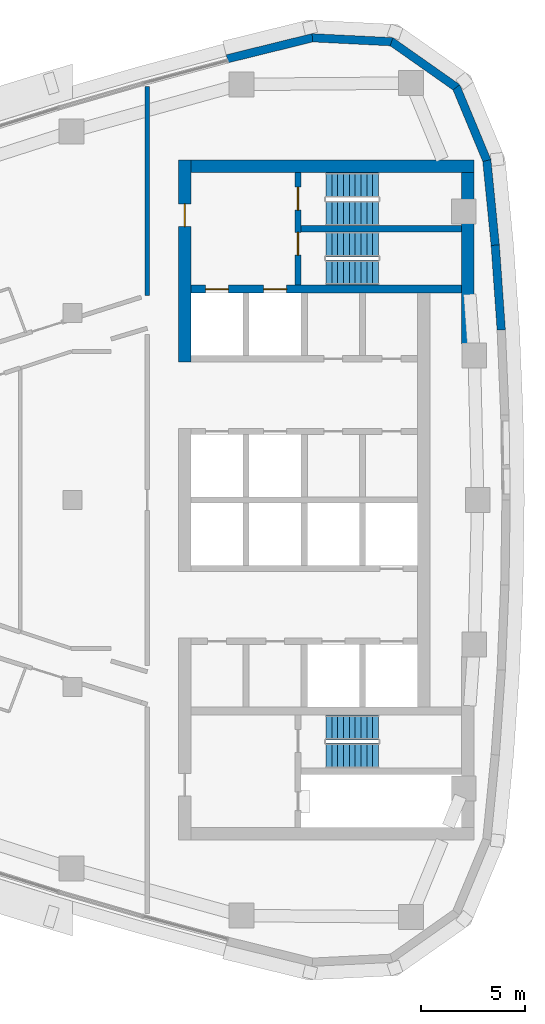
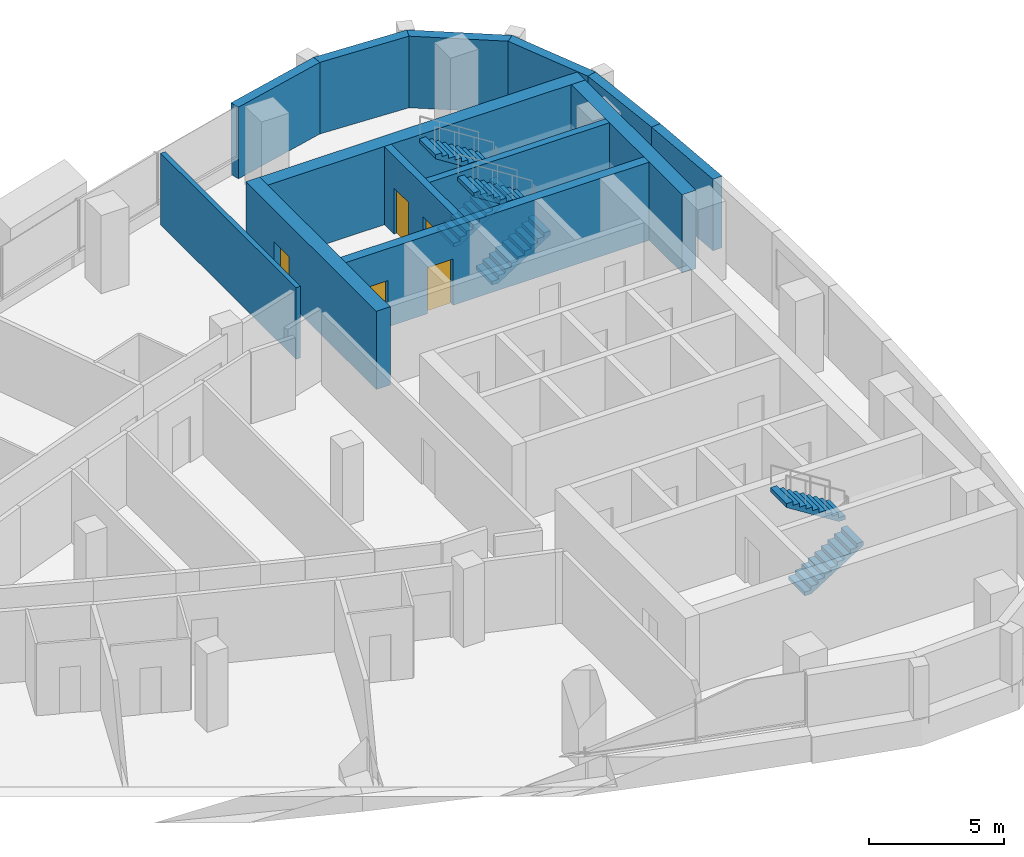
# One storey, part 11 of 15: 13 walls, 6 stair flights, 5 doors, 5 openings, 3 elements without a shape of their own.
"""IFC4 building model written with IfcOpenShell, lengths in metres."""

from ifc_helpers import new_model, si_unit, direction, frame, frame_2d, origin, place, context, subcontext, project, spatial, polyline, rectangle, outline, extrude, material, layer, layer_set, type_object, element, fill, aggregate, save


model = new_model("IFC4")

# Units and contexts
model_context = context("Model", 3, precision=1e-05, world=origin(), true_north=direction((0.0, 1.0)))
body_context = subcontext(model_context, "Body", "Model", "MODEL_VIEW")
ifc_project = project(units=[si_unit("LENGTHUNIT", "METRE"), si_unit("AREAUNIT", "SQUARE_METRE"), si_unit("VOLUMEUNIT", "CUBIC_METRE"), si_unit("PLANEANGLEUNIT", "RADIAN"), si_unit("MASSUNIT", "GRAM", prefix="KILO")], contexts=[model_context])

# Site, building, storey
site_placement = place(None, origin())
site = spatial("IfcSite", under=ifc_project, at=site_placement, CompositionType="ELEMENT")
building_placement = place(site_placement, origin())
building = spatial("IfcBuilding", under=site, at=building_placement, Name="Ostrand Prow Hotel Tower", CompositionType="ELEMENT")
storey_placement = place(building_placement, frame((0.0, 0.0, 238.550048828125)))
storey = spatial("IfcBuildingStorey", under=building, at=storey_placement, Name="L60", CompositionType="ELEMENT", Elevation=238.550048828125)

# Wall, openings, doors
ifc_material_1 = material(Name="Concrete C50/60", Category="concrete")
ifc_layer_1 = layer(ifc_material_1, 0.300048828125)
ifc_layer_set_1 = layer_set([ifc_layer_1], Name="Concrete C50/60")
wall_type_1 = type_object("IfcWallType", Name="Core wall 300 C50/60", PredefinedType="SHEAR", material=ifc_layer_set_1)
wall_1_placement = place(storey_placement, frame((55.85009765625, 10.35009765625, 0.0), z_axis=(0.0, 0.0, 1.0), x_axis=(0.0, 1.0, 0.0)))
wall_1 = element("IfcWall", 1, at=wall_1_placement, inside=storey, type_object=wall_type_1, Name="Core wall PW-VN", PredefinedType="SHEAR", context=body_context, shape_type="SweptSolid", body=[
    extrude(rectangle(XDim=5.39990234375, YDim=0.300048828125, at=frame_2d((2.699951171875, 0.0))), origin(), (0.0, 0.0, 1.0), 3.550048828125),
])
opening_1_placement = place(wall_1_placement, frame((1.429931640625, 0.0, 0.0)))
opening_1 = element("IfcOpeningElement", 2, at=opening_1_placement, cuts=wall_1, Name="Opening FD1", PredefinedType="OPENING", context=body_context, shape_type="SweptSolid", body=[
    extrude(rectangle(XDim=1.10009765625, YDim=2.10009765625, at=frame_2d((0.550048828125, 1.050048828125))), frame((0.0, 0.159912109375, 0.0), z_axis=(0.0, -1.0, 0.0), x_axis=(1.0, 0.0, 0.0)), (0.0, 0.0, 1.0), 0.320068359375),
])
opening_2_placement = place(wall_1_placement, frame((3.60009765625, 0.0, 0.0)))
opening_2 = element("IfcOpeningElement", 3, at=opening_2_placement, cuts=wall_1, Name="Opening FD1", PredefinedType="OPENING", context=body_context, shape_type="SweptSolid", body=[
    extrude(rectangle(XDim=1.10009765625, YDim=2.10009765625, at=frame_2d((0.550048828125, 1.050048828125))), frame((0.0, 0.159912109375, 0.0), z_axis=(0.0, -1.0, 0.0), x_axis=(1.0, 0.0, 0.0)), (0.0, 0.0, 1.0), 0.320068359375),
])
ifc_material_2 = material(Name="Steel fire door", Category="steel")
door_type_1 = type_object("IfcDoorType", Name="Fire door 1100 EI120", OperationType="SINGLE_SWING_RIGHT", PredefinedType="DOOR", material=ifc_material_2)
door_1_placement = place(opening_1_placement, origin())
door_1 = element("IfcDoor", 4, at=door_1_placement, inside=storey, type_object=door_type_1, Name="FIRE DOOR", OperationType="SINGLE_SWING_RIGHT", OverallHeight=2.10009765625, OverallWidth=1.10009765625, PredefinedType="DOOR", context=body_context, shape_type="SweptSolid", body=[
    extrude(rectangle(XDim=1.10009765625, YDim=2.10009765625, at=frame_2d((0.550048828125, 1.050048828125))), frame((0.0, 0.02490234375, 0.0), z_axis=(0.0, -1.0, 0.0), x_axis=(1.0, 0.0, 0.0)), (0.0, 0.0, 1.0), 0.050048828125),
])
fill(opening_1, door_1)
door_2_placement = place(opening_2_placement, origin())
door_2 = element("IfcDoor", 5, at=door_2_placement, inside=storey, type_object=door_type_1, Name="FIRE DOOR", OperationType="SINGLE_SWING_RIGHT", OverallHeight=2.10009765625, OverallWidth=1.10009765625, PredefinedType="DOOR", context=body_context, shape_type="SweptSolid", body=[
    extrude(rectangle(XDim=1.10009765625, YDim=2.10009765625, at=frame_2d((0.550048828125, 1.050048828125))), frame((0.0, 0.02490234375, 0.0), z_axis=(0.0, -1.0, 0.0), x_axis=(1.0, 0.0, 0.0)), (0.0, 0.0, 1.0), 0.050048828125),
])
fill(opening_2, door_2)

# Wall
wall_2_placement = place(storey_placement, frame((56.0, 13.050048828125, 0.0), z_axis=(0.0, 0.0, 1.0), x_axis=(1.0, 0.0, 0.0)))
element("IfcWall", 6, at=wall_2_placement, inside=storey, type_object=wall_type_1, Name="Core wall PW-ST13", PredefinedType="SHEAR", context=body_context, shape_type="SweptSolid", body=[
    extrude(rectangle(XDim=7.719970703125, YDim=0.300048828125, at=frame_2d((3.85986328125, 0.0))), origin(), (0.0, 0.0, 1.0), 3.550048828125),
])

# Wall, openings, doors
ifc_material_3 = material(Name="Concrete C50/60", Category="concrete")
ifc_layer_2 = layer(ifc_material_3, 0.39990234375)
ifc_layer_set_2 = layer_set([ifc_layer_2], Name="Concrete C50/60")
wall_type_2 = type_object("IfcWallType", Name="Core wall 400 C50/60", PredefinedType="SHEAR", material=ifc_layer_set_2)
wall_3_placement = place(storey_placement, frame((50.699951171875, 10.14990234375, 0.0), z_axis=(0.0, 0.0, 1.0), x_axis=(1.0, 0.0, 0.0)))
wall_3 = element("IfcWall", 7, at=wall_3_placement, inside=storey, type_object=wall_type_2, Name="Core wall PW-BN", PredefinedType="SHEAR", context=body_context, shape_type="SweptSolid", body=[
    extrude(rectangle(XDim=13.02001953125, YDim=0.39990234375, at=frame_2d((6.510009765625, 0.0))), origin(), (0.0, 0.0, 1.0), 3.550048828125),
])
opening_3_placement = place(wall_3_placement, frame((0.699951171875, 0.0, 0.0)))
opening_3 = element("IfcOpeningElement", 8, at=opening_3_placement, cuts=wall_3, Name="Opening LD", PredefinedType="OPENING", context=body_context, shape_type="SweptSolid", body=[
    extrude(rectangle(XDim=1.10009765625, YDim=2.10009765625, at=frame_2d((0.550048828125, 1.050048828125))), frame((0.0, 0.2099609375, 0.0), z_axis=(0.0, -1.0, 0.0), x_axis=(1.0, 0.0, 0.0)), (0.0, 0.0, 1.0), 0.419921875),
])
opening_4_placement = place(wall_3_placement, frame((3.5, 0.0, 0.0)))
opening_4 = element("IfcOpeningElement", 9, at=opening_4_placement, cuts=wall_3, Name="Opening LD", PredefinedType="OPENING", context=body_context, shape_type="SweptSolid", body=[
    extrude(rectangle(XDim=1.10009765625, YDim=2.10009765625, at=frame_2d((0.550048828125, 1.050048828125))), frame((0.0, 0.2099609375, 0.0), z_axis=(0.0, -1.0, 0.0), x_axis=(1.0, 0.0, 0.0)), (0.0, 0.0, 1.0), 0.419921875),
])
ifc_material_4 = material(Name="Stainless steel door", Category="steel")
door_type_2 = type_object("IfcDoorType", Name="Lift landing door 1100", OperationType="DOUBLE_DOOR_SLIDING", PredefinedType="DOOR", material=ifc_material_4)
door_3_placement = place(opening_3_placement, origin())
door_3 = element("IfcDoor", 10, at=door_3_placement, inside=storey, type_object=door_type_2, Name="LIFT LANDING DOOR", OperationType="DOUBLE_DOOR_SLIDING", OverallHeight=2.10009765625, OverallWidth=1.10009765625, PredefinedType="DOOR", context=body_context, shape_type="SweptSolid", body=[
    extrude(rectangle(XDim=1.10009765625, YDim=2.10009765625, at=frame_2d((0.550048828125, 1.050048828125))), frame((0.0, 0.02490234375, 0.0), z_axis=(0.0, -1.0, 0.0), x_axis=(1.0, 0.0, 0.0)), (0.0, 0.0, 1.0), 0.050048828125),
])
fill(opening_3, door_3)
door_4_placement = place(opening_4_placement, origin())
door_4 = element("IfcDoor", 11, at=door_4_placement, inside=storey, type_object=door_type_2, Name="LIFT LANDING DOOR", OperationType="DOUBLE_DOOR_SLIDING", OverallHeight=2.10009765625, OverallWidth=1.10009765625, PredefinedType="DOOR", context=body_context, shape_type="SweptSolid", body=[
    extrude(rectangle(XDim=1.10009765625, YDim=2.10009765625, at=frame_2d((0.550048828125, 1.050048828125))), frame((0.0, 0.02490234375, 0.0), z_axis=(0.0, -1.0, 0.0), x_axis=(1.0, 0.0, 0.0)), (0.0, 0.0, 1.0), 0.050048828125),
])
fill(opening_4, door_4)

# Wall, opening, door
ifc_material_5 = material(Name="Concrete C50/60", Category="concrete")
ifc_layer_3 = layer(ifc_material_5, 0.60009765625)
ifc_layer_set_3 = layer_set([ifc_layer_3], Name="Concrete C50/60")
wall_type_3 = type_object("IfcWallType", Name="Core wall 600 C50/60", PredefinedType="SHEAR", material=ifc_layer_set_3)
wall_4_placement = place(storey_placement, frame((50.39990234375, 6.64990234375, 0.0), z_axis=(0.0, 0.0, 1.0), x_axis=(0.0, 1.0, 0.0)))
wall_4 = element("IfcWall", 12, at=wall_4_placement, inside=storey, type_object=wall_type_3, Name="Core wall CW-W-N", PredefinedType="SHEAR", context=body_context, shape_type="SweptSolid", body=[
    extrude(rectangle(XDim=9.7001953125, YDim=0.60009765625, at=frame_2d((4.85009765625, 0.0))), origin(), (0.0, 0.0, 1.0), 3.550048828125),
])
opening_5_placement = place(wall_4_placement, frame((6.5, 0.0, 0.0)))
opening_5 = element("IfcOpeningElement", 13, at=opening_5_placement, cuts=wall_4, Name="Opening FD1", PredefinedType="OPENING", context=body_context, shape_type="SweptSolid", body=[
    extrude(rectangle(XDim=1.10009765625, YDim=2.10009765625, at=frame_2d((0.550048828125, 1.050048828125))), frame((0.0, 0.31005859375, 0.0), z_axis=(0.0, -1.0, 0.0), x_axis=(1.0, 0.0, 0.0)), (0.0, 0.0, 1.0), 0.6201171875),
])
door_5_placement = place(opening_5_placement, origin())
door_5 = element("IfcDoor", 14, at=door_5_placement, inside=storey, type_object=door_type_1, Name="FIRE DOOR", OperationType="SINGLE_SWING_RIGHT", OverallHeight=2.10009765625, OverallWidth=1.10009765625, PredefinedType="DOOR", context=body_context, shape_type="SweptSolid", body=[
    extrude(rectangle(XDim=1.10009765625, YDim=2.10009765625, at=frame_2d((0.550048828125, 1.050048828125))), frame((0.0, 0.02490234375, 0.0), z_axis=(0.0, -1.0, 0.0), x_axis=(1.0, 0.0, 0.0)), (0.0, 0.0, 1.0), 0.050048828125),
])
fill(opening_5, door_5)

# Walls
wall_5_placement = place(storey_placement, frame((50.699951171875, 16.050048828125, 0.0), z_axis=(0.0, 0.0, 1.0), x_axis=(1.0, 0.0, 0.0)))
element("IfcWall", 15, at=wall_5_placement, inside=storey, type_object=wall_type_3, Name="Core wall CW-N", PredefinedType="SHEAR", context=body_context, shape_type="SweptSolid", body=[
    extrude(rectangle(XDim=13.6201171875, YDim=0.60009765625, at=frame_2d((6.81005859375, 0.0))), origin(), (0.0, 0.0, 1.0), 3.550048828125),
])
wall_6_placement = place(storey_placement, frame((64.02001953125, 7.502197265625, 0.0), z_axis=(0.0, 0.0, 1.0), x_axis=(0.0, 1.0, 0.0)))
element("IfcWall", 16, at=wall_6_placement, inside=storey, type_object=wall_type_3, Name="Core wall CW-E-N", PredefinedType="SHEAR", context=body_context, shape_type="SweptSolid", body=[
    extrude(rectangle(XDim=8.247802734375, YDim=0.60009765625, at=frame_2d((4.1240234375, 0.0))), origin(), (0.0, 0.0, 1.0), 3.550048828125),
])
ifc_material_6 = material(Name="Plasterboard partition")
ifc_layer_4 = layer(ifc_material_6, 0.199951171875)
ifc_layer_set_4 = layer_set([ifc_layer_4], Name="Plasterboard partition")
wall_type_4 = type_object("IfcWallType", Name="Partition 200 corridor wall", PredefinedType="PARTITIONING", material=ifc_layer_set_4)
wall_7_placement = place(storey_placement, frame((48.594970703125, 19.904296875, 0.0), z_axis=(0.0, 0.0, 1.0), x_axis=(0.0, -1.0, 0.0)))
element("IfcWall", 17, at=wall_7_placement, inside=storey, type_object=wall_type_4, Name="CORRIDOR WALL", PredefinedType="PARTITIONING", context=body_context, shape_type="SweptSolid", body=[
    extrude(rectangle(XDim=10.0673828125, YDim=0.199951171875, at=frame_2d((5.03369140625, 0.0))), origin(), (0.0, 0.0, 1.0), 3.25),
])
ifc_material_7 = material(Name="Precast concrete C40/50", Category="concrete")
ifc_layer_5 = layer(ifc_material_7, 0.39990234375)
ifc_layer_set_5 = layer_set([ifc_layer_5], Name="Precast concrete C40/50")
wall_type_5 = type_object("IfcWallType", Name="Stone-faced precast wall 400 mm", PredefinedType="NOTDEFINED", material=ifc_layer_set_5)
wall_8_placement = place(storey_placement, frame((65.630615234375, 8.181640625, 0.0), z_axis=(0.0, 0.0, 1.0), x_axis=(-0.070623905352, 0.997503014528, 0.0)))
element("IfcWall", 18, at=wall_8_placement, inside=storey, type_object=wall_type_5, Name="Stone-faced wall back 11", PredefinedType="NOTDEFINED", context=body_context, shape_type="SweptSolid", body=[
    extrude(outline(polyline([(-0.002685546875, -0.199951171875), (4.095703125, -0.199951171875), (4.09033203125, 0.199951171875), (0.002685546875, 0.199951171875), (-0.002685546875, -0.199951171875)])), origin(), (0.0, 0.0, 1.0), 3.25),
])
wall_9_placement = place(storey_placement, frame((65.341552734375, 12.264404296875, 0.0), z_axis=(0.0, 0.0, 1.0), x_axis=(-0.098718218066, 0.995115427185, 0.0)))
element("IfcWall", 19, at=wall_9_placement, inside=storey, type_object=wall_type_5, Name="Stone-faced wall back 12", PredefinedType="NOTDEFINED", context=body_context, shape_type="SweptSolid", body=[
    extrude(outline(polyline([(-0.002685546875, -0.199951171875), (4.122802734375, -0.199951171875), (4.063232421875, 0.199951171875), (0.002685546875, 0.199951171875), (-0.002685546875, -0.199951171875)])), origin(), (0.0, 0.0, 1.0), 3.25),
])
wall_10_placement = place(storey_placement, frame((64.9375, 16.33740234375, 0.0), z_axis=(0.0, 0.0, 1.0), x_axis=(-0.3844335483, 0.923152667191, 0.0)))
element("IfcWall", 20, at=wall_10_placement, inside=storey, type_object=wall_type_5, Name="Stone-faced wall back 13", PredefinedType="NOTDEFINED", context=body_context, shape_type="SweptSolid", body=[
    extrude(outline(polyline([(-0.02978515625, -0.199951171875), (3.871337890625, -0.199951171875), (3.755615234375, 0.199951171875), (0.02978515625, 0.199951171875), (-0.02978515625, -0.199951171875)])), origin(), (0.0, 0.0, 1.0), 3.25),
])
wall_11_placement = place(storey_placement, frame((63.471435546875, 19.85791015625, 0.0), z_axis=(0.0, 0.0, 1.0), x_axis=(-0.817942545532, 0.575299915009, 0.0)))
element("IfcWall", 21, at=wall_11_placement, inside=storey, type_object=wall_type_5, Name="Stone-faced wall back 14", PredefinedType="NOTDEFINED", context=body_context, shape_type="SweptSolid", body=[
    extrude(outline(polyline([(-0.057861328125, -0.199951171875), (3.871337890625, -0.199951171875), (3.755615234375, 0.199951171875), (0.057861328125, 0.199951171875), (-0.057861328125, -0.199951171875)])), origin(), (0.0, 0.0, 1.0), 3.25),
])
wall_12_placement = place(storey_placement, frame((60.352294921875, 22.0517578125, 0.0), z_axis=(0.0, 0.0, 1.0), x_axis=(-0.998758875872, 0.049806705046, 0.0)))
element("IfcWall", 22, at=wall_12_placement, inside=storey, type_object=wall_type_5, Name="Stone-faced wall back 15", PredefinedType="NOTDEFINED", context=body_context, shape_type="SweptSolid", body=[
    extrude(outline(polyline([(-0.057861328125, -0.199951171875), (3.8427734375, -0.199951171875), (3.7841796875, 0.199951171875), (0.057861328125, 0.199951171875), (-0.057861328125, -0.199951171875)])), origin(), (0.0, 0.0, 1.0), 3.25),
])
wall_13_placement = place(storey_placement, frame((56.54345703125, 22.24169921875, 0.0), z_axis=(0.0, 0.0, 1.0), x_axis=(-0.970902342456, -0.23947576373, 0.0)))
element("IfcWall", 23, at=wall_13_placement, inside=storey, type_object=wall_type_5, Name="Stone-faced wall back 16", PredefinedType="NOTDEFINED", context=body_context, shape_type="SweptSolid", body=[
    extrude(outline(polyline([(-0.029296875, -0.199951171875), (4.225830078125, -0.199951171875), (4.225830078125, 0.199951171875), (0.029296875, 0.199951171875), (-0.029296875, -0.199951171875)])), origin(), (0.0, 0.0, 1.0), 3.25),
])

# Stair, stair flights
ifc_material_8 = material(Name="Concrete C40/50", Category="concrete")
stair_type = type_object("IfcStairType", Name="Exit stair 1200 upper zone", PredefinedType="HALF_TURN_STAIR", material=ifc_material_8)
stair_1_placement = place(storey_placement, origin())
stair_1 = element("IfcStair", 24, at=stair_1_placement, inside=storey, type_object=stair_type, Name="L60 ST1C", PredefinedType="HALF_TURN_STAIR")
ifc_material_9 = material(Name="Concrete C40/50", Category="concrete")
stair_flight_type = type_object("IfcStairFlightType", Name="Stair flight 1200 concrete", PredefinedType="STRAIGHT", material=ifc_material_9)
stair_flight_1_placement = place(storey_placement, frame((57.199951171875, 10.949951171875, 0.0), z_axis=(0.0, 0.0, 1.0), x_axis=(1.0, 0.0, 0.0)))
stair_flight_1 = element("IfcStairFlight", 25, at=stair_flight_1_placement, type_object=stair_flight_type, Name="ST1C flight 1", NumberOfRisers=10, NumberOfTreads=9, PredefinedType="STRAIGHT", RiserHeight=0.1775, TreadLength=0.28, context=body_context, shape_type="SweptSolid", body=[
    extrude(outline(polyline([(0.0, 0.0), (0.0, 0.177490234375), (0.280029296875, 0.177490234375), (0.280029296875, 0.35498046875), (0.56005859375, 0.35498046875), (0.56005859375, 0.532470703125), (0.840087890625, 0.532470703125), (0.840087890625, 0.7099609375), (1.1201171875, 0.7099609375), (1.1201171875, 0.887451171875), (1.39990234375, 0.887451171875), (1.39990234375, 1.06494140625), (1.679931640625, 1.06494140625), (1.679931640625, 1.242431640625), (1.9599609375, 1.242431640625), (1.9599609375, 1.419921875), (2.239990234375, 1.419921875), (2.239990234375, 1.597412109375), (2.52001953125, 1.597412109375), (2.52001953125, 1.77490234375), (2.52001953125, 1.419921875), (0.280029296875, 0.0), (0.0, 0.0)])), frame((0.0, 0.60009765625, 0.0), z_axis=(0.0, -1.0, 0.0), x_axis=(1.0, 0.0, 0.0)), (0.0, 0.0, 1.0), 1.199951171875),
])
stair_flight_2_placement = place(storey_placement, frame((59.719970703125, 12.300048828125, 1.77490234375), z_axis=(0.0, 0.0, 1.0), x_axis=(-1.0, 0.0, 0.0)))
stair_flight_2 = element("IfcStairFlight", 26, at=stair_flight_2_placement, type_object=stair_flight_type, Name="ST1C flight 2", NumberOfRisers=10, NumberOfTreads=9, PredefinedType="STRAIGHT", RiserHeight=0.1775, TreadLength=0.28, context=body_context, shape_type="SweptSolid", body=[
    extrude(outline(polyline([(0.0, 0.0), (0.0, 0.177490234375), (0.280029296875, 0.177490234375), (0.280029296875, 0.35498046875), (0.56005859375, 0.35498046875), (0.56005859375, 0.532470703125), (0.840087890625, 0.532470703125), (0.840087890625, 0.7099609375), (1.1201171875, 0.7099609375), (1.1201171875, 0.887451171875), (1.39990234375, 0.887451171875), (1.39990234375, 1.06494140625), (1.679931640625, 1.06494140625), (1.679931640625, 1.242431640625), (1.9599609375, 1.242431640625), (1.9599609375, 1.419921875), (2.239990234375, 1.419921875), (2.239990234375, 1.597412109375), (2.52001953125, 1.597412109375), (2.52001953125, 1.77490234375), (2.52001953125, 1.419921875), (0.280029296875, 0.0), (0.0, 0.0)])), frame((0.0, 0.60009765625, 0.0), z_axis=(0.0, -1.0, 0.0), x_axis=(1.0, 0.0, 0.0)), (0.0, 0.0, 1.0), 1.199951171875),
])
aggregate(stair_1, [stair_flight_1, stair_flight_2])

stair_2_placement = place(storey_placement, origin())
stair_2 = element("IfcStair", 27, at=stair_2_placement, inside=storey, type_object=stair_type, Name="L60 ST3C", PredefinedType="HALF_TURN_STAIR")
stair_flight_3_placement = place(storey_placement, frame((57.199951171875, 13.800048828125, 0.0), z_axis=(0.0, 0.0, 1.0), x_axis=(1.0, 0.0, 0.0)))
stair_flight_3 = element("IfcStairFlight", 28, at=stair_flight_3_placement, type_object=stair_flight_type, Name="ST3C flight 1", NumberOfRisers=10, NumberOfTreads=9, PredefinedType="STRAIGHT", RiserHeight=0.1775, TreadLength=0.28, context=body_context, shape_type="SweptSolid", body=[
    extrude(outline(polyline([(0.0, 0.0), (0.0, 0.177490234375), (0.280029296875, 0.177490234375), (0.280029296875, 0.35498046875), (0.56005859375, 0.35498046875), (0.56005859375, 0.532470703125), (0.840087890625, 0.532470703125), (0.840087890625, 0.7099609375), (1.1201171875, 0.7099609375), (1.1201171875, 0.887451171875), (1.39990234375, 0.887451171875), (1.39990234375, 1.06494140625), (1.679931640625, 1.06494140625), (1.679931640625, 1.242431640625), (1.9599609375, 1.242431640625), (1.9599609375, 1.419921875), (2.239990234375, 1.419921875), (2.239990234375, 1.597412109375), (2.52001953125, 1.597412109375), (2.52001953125, 1.77490234375), (2.52001953125, 1.419921875), (0.280029296875, 0.0), (0.0, 0.0)])), frame((0.0, 0.60009765625, 0.0), z_axis=(0.0, -1.0, 0.0), x_axis=(1.0, 0.0, 0.0)), (0.0, 0.0, 1.0), 1.199951171875),
])
stair_flight_4_placement = place(storey_placement, frame((59.719970703125, 15.14990234375, 1.77490234375), z_axis=(0.0, 0.0, 1.0), x_axis=(-1.0, 0.0, 0.0)))
stair_flight_4 = element("IfcStairFlight", 29, at=stair_flight_4_placement, type_object=stair_flight_type, Name="ST3C flight 2", NumberOfRisers=10, NumberOfTreads=9, PredefinedType="STRAIGHT", RiserHeight=0.1775, TreadLength=0.28, context=body_context, shape_type="SweptSolid", body=[
    extrude(outline(polyline([(0.0, 0.0), (0.0, 0.177490234375), (0.280029296875, 0.177490234375), (0.280029296875, 0.35498046875), (0.56005859375, 0.35498046875), (0.56005859375, 0.532470703125), (0.840087890625, 0.532470703125), (0.840087890625, 0.7099609375), (1.1201171875, 0.7099609375), (1.1201171875, 0.887451171875), (1.39990234375, 0.887451171875), (1.39990234375, 1.06494140625), (1.679931640625, 1.06494140625), (1.679931640625, 1.242431640625), (1.9599609375, 1.242431640625), (1.9599609375, 1.419921875), (2.239990234375, 1.419921875), (2.239990234375, 1.597412109375), (2.52001953125, 1.597412109375), (2.52001953125, 1.77490234375), (2.52001953125, 1.419921875), (0.280029296875, 0.0), (0.0, 0.0)])), frame((0.0, 0.60009765625, 0.0), z_axis=(0.0, -1.0, 0.0), x_axis=(1.0, 0.0, 0.0)), (0.0, 0.0, 1.0), 1.199951171875),
])
aggregate(stair_2, [stair_flight_3, stair_flight_4])

stair_3_placement = place(storey_placement, origin())
stair_3 = element("IfcStair", 30, at=stair_3_placement, inside=storey, type_object=stair_type, Name="L60 ST2C", PredefinedType="HALF_TURN_STAIR")
stair_flight_5_placement = place(storey_placement, frame((57.199951171875, -12.300048828125, 0.0), z_axis=(0.0, 0.0, 1.0), x_axis=(1.0, 0.0, 0.0)))
stair_flight_5 = element("IfcStairFlight", 31, at=stair_flight_5_placement, type_object=stair_flight_type, Name="ST2C flight 1", NumberOfRisers=10, NumberOfTreads=9, PredefinedType="STRAIGHT", RiserHeight=0.1775, TreadLength=0.28, context=body_context, shape_type="SweptSolid", body=[
    extrude(outline(polyline([(0.0, 0.0), (0.0, 0.177490234375), (0.280029296875, 0.177490234375), (0.280029296875, 0.35498046875), (0.56005859375, 0.35498046875), (0.56005859375, 0.532470703125), (0.840087890625, 0.532470703125), (0.840087890625, 0.7099609375), (1.1201171875, 0.7099609375), (1.1201171875, 0.887451171875), (1.39990234375, 0.887451171875), (1.39990234375, 1.06494140625), (1.679931640625, 1.06494140625), (1.679931640625, 1.242431640625), (1.9599609375, 1.242431640625), (1.9599609375, 1.419921875), (2.239990234375, 1.419921875), (2.239990234375, 1.597412109375), (2.52001953125, 1.597412109375), (2.52001953125, 1.77490234375), (2.52001953125, 1.419921875), (0.280029296875, 0.0), (0.0, 0.0)])), frame((0.0, 0.60009765625, 0.0), z_axis=(0.0, -1.0, 0.0), x_axis=(1.0, 0.0, 0.0)), (0.0, 0.0, 1.0), 1.199951171875),
])
stair_flight_6_placement = place(storey_placement, frame((59.719970703125, -10.949951171875, 1.77490234375), z_axis=(0.0, 0.0, 1.0), x_axis=(-1.0, 0.0, 0.0)))
stair_flight_6 = element("IfcStairFlight", 32, at=stair_flight_6_placement, type_object=stair_flight_type, Name="ST2C flight 2", NumberOfRisers=10, NumberOfTreads=9, PredefinedType="STRAIGHT", RiserHeight=0.1775, TreadLength=0.28, context=body_context, shape_type="SweptSolid", body=[
    extrude(outline(polyline([(0.0, 0.0), (0.0, 0.177490234375), (0.280029296875, 0.177490234375), (0.280029296875, 0.35498046875), (0.56005859375, 0.35498046875), (0.56005859375, 0.532470703125), (0.840087890625, 0.532470703125), (0.840087890625, 0.7099609375), (1.1201171875, 0.7099609375), (1.1201171875, 0.887451171875), (1.39990234375, 0.887451171875), (1.39990234375, 1.06494140625), (1.679931640625, 1.06494140625), (1.679931640625, 1.242431640625), (1.9599609375, 1.242431640625), (1.9599609375, 1.419921875), (2.239990234375, 1.419921875), (2.239990234375, 1.597412109375), (2.52001953125, 1.597412109375), (2.52001953125, 1.77490234375), (2.52001953125, 1.419921875), (0.280029296875, 0.0), (0.0, 0.0)])), frame((0.0, 0.60009765625, 0.0), z_axis=(0.0, -1.0, 0.0), x_axis=(1.0, 0.0, 0.0)), (0.0, 0.0, 1.0), 1.199951171875),
])
aggregate(stair_3, [stair_flight_5, stair_flight_6])

save(model, "model.ifc")
